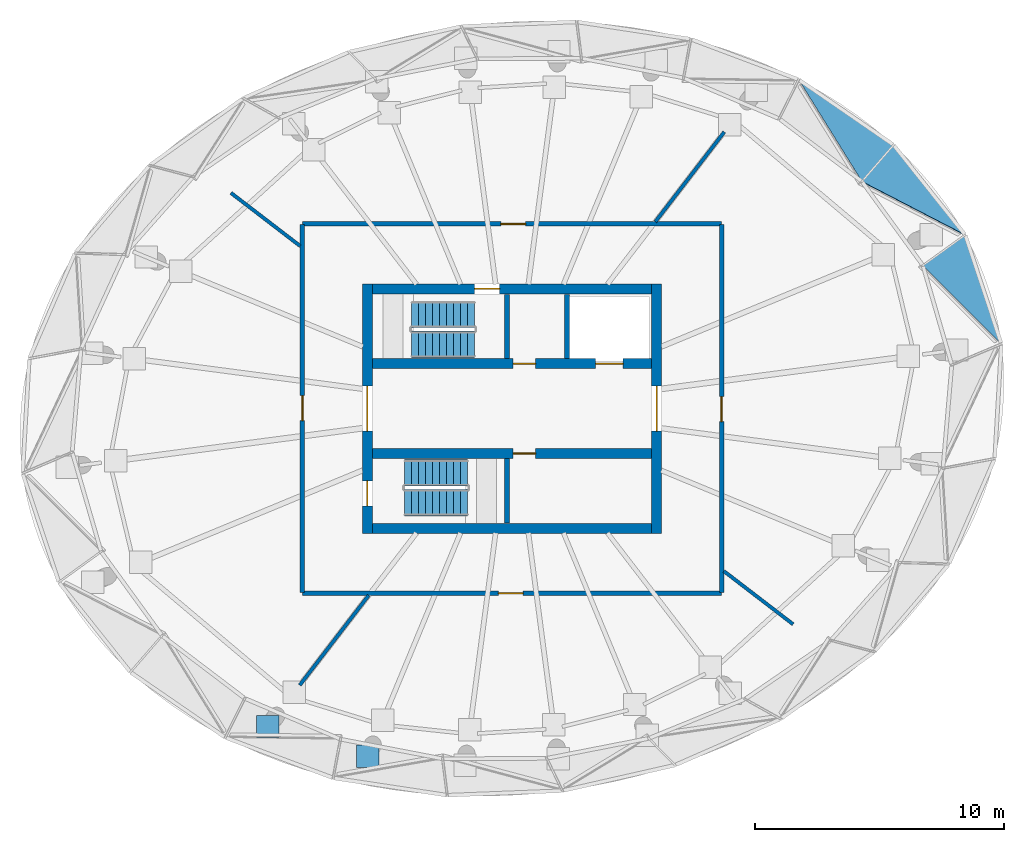
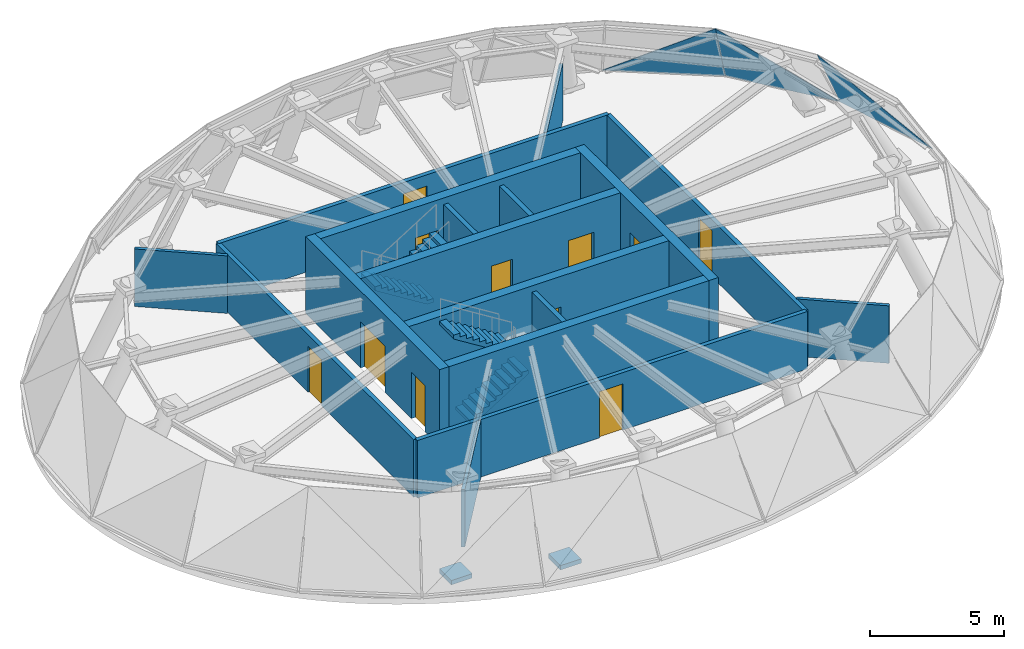
# One storey, part 7 of 9: 17 walls, 11 doors, 4 stair flights, 3 plates, 2 discrete accessories, 11 openings, 5 elements without a shape of their own.
"""IFC4 building model written with IfcOpenShell, lengths in metres."""

from ifc_helpers import new_model, si_unit, direction, frame, frame_2d, origin, origin_2d, place, context, subcontext, project, spatial, line, indexed_curve, rectangle, outline, extrude, source, transform, mapped, material, layer, layer_set, type_object, element, fill, aggregate, save


model = new_model("IFC4")

# Units and contexts
model_context = context("Model", 3, precision=1e-05, world=origin(), true_north=direction((0.0, 1.0)))
body_context = subcontext(model_context, "Body", "Model", "MODEL_VIEW")
ifc_project = project(units=[si_unit("LENGTHUNIT", "METRE"), si_unit("AREAUNIT", "SQUARE_METRE"), si_unit("VOLUMEUNIT", "CUBIC_METRE"), si_unit("PLANEANGLEUNIT", "RADIAN"), si_unit("MASSUNIT", "GRAM", prefix="KILO")], contexts=[model_context])

# Site, building, storey
site_placement = place(None, origin())
site = spatial("IfcSite", under=ifc_project, at=site_placement, CompositionType="ELEMENT")
building_placement = place(site_placement, origin())
building = spatial("IfcBuilding", under=site, at=building_placement, Name="Spindrift Exchange Tower", CompositionType="ELEMENT")
storey_placement = place(building_placement, frame((0.0, 0.0, 273.10009765625)))
storey = spatial("IfcBuildingStorey", under=building, at=storey_placement, Name="L67", CompositionType="ELEMENT", Elevation=273.10009765625)

# Curtain wall, plate
ifc_material_1 = material(Name="Fritted laminated glass with bronze frame", Category="glass")
ifc_layer_1 = layer(ifc_material_1, 0.14990234375)
ifc_layer_set_1 = layer_set([ifc_layer_1], Name="CROWN BRONZE RAKED GLAZED WALL")
curtain_wall_type = type_object("IfcCurtainWallType", Name="CROWN BRONZE RAKED GLAZED WALL", PredefinedType="NOTDEFINED", material=ifc_layer_set_1)
curtain_wall_1_placement = place(storey_placement, origin())
curtain_wall_1 = element("IfcCurtainWall", 1, at=curtain_wall_1_placement, inside=storey, type_object=curtain_wall_type, Name="L67 Crown Bronze Raked Glazed Wall facet 1", PredefinedType="NOTDEFINED")
ifc_material_2 = material(Name="Bronze fritted laminated glass, close frit", Category="glass")
ifc_layer_2 = layer(ifc_material_2, 0.030029296875)
ifc_layer_set_2 = layer_set([ifc_layer_2], Name="CROWN BRONZE RAKED GLAZED WALL PANEL CLOSE FRIT 300")
plate_type_1 = type_object("IfcPlateType", Name="CROWN BRONZE RAKED GLAZED WALL PANEL CLOSE FRIT 300", PredefinedType="CURTAIN_PANEL", material=ifc_layer_set_2)
plate_1_placement = place(storey_placement, frame((71.6171875, 50.591064453125, 0.014892578125), z_axis=(0.823556277735, 0.273429520846, 0.496982247704), x_axis=(-0.315097835712, 0.949059194113, 0.0)))
plate_1 = element("IfcPlate", 2, at=plate_1_placement, type_object=plate_type_1, Name="L67 panel CW-R.1a", PredefinedType="CURTAIN_PANEL", context=body_context, shape_type="SweptSolid", body=[
    extrude(outline(indexed_curve([(0.0, 0.0), (4.603515625, 0.0), (3.9765625, 4.0166015625)], segments=[line(1, 2, 3, 1)], self_intersect=False)), origin(), (0.0, 0.0, -1.0), 0.030029296875),
])
aggregate(curtain_wall_1, [plate_1])

curtain_wall_2_placement = place(storey_placement, origin())
curtain_wall_2 = element("IfcCurtainWall", 3, at=curtain_wall_2_placement, inside=storey, type_object=curtain_wall_type, Name="L67 Crown Bronze Raked Glazed Wall facet 3", PredefinedType="NOTDEFINED")
ifc_layer_3 = layer(ifc_material_2, 0.030029296875)
ifc_layer_set_3 = layer_set([ifc_layer_3], Name="CROWN BRONZE RAKED GLAZED WALL PANEL CLOSE FRIT 540")
plate_type_2 = type_object("IfcPlateType", Name="CROWN BRONZE RAKED GLAZED WALL PANEL CLOSE FRIT 540", PredefinedType="CURTAIN_PANEL", material=ifc_layer_set_3)
plate_2_placement = place(storey_placement, frame((70.166748046875, 54.959716796875, 0.01416015625), z_axis=(0.686631866828, 0.546554132524, 0.479390508539), x_axis=(-0.622781534918, 0.782395782047, 0.0)))
plate_2 = element("IfcPlate", 4, at=plate_2_placement, type_object=plate_type_2, Name="L67 panel CW-R.2a", PredefinedType="CURTAIN_PANEL", context=body_context, shape_type="SweptSolid", body=[
    extrude(outline(indexed_curve([(0.0, 0.0), (4.6103515625, 0.0), (4.2548828125, 3.9716796875)], segments=[line(1, 2, 3, 1)], self_intersect=False)), origin(), (0.0, 0.0, -1.0), 0.030029296875),
])
aggregate(curtain_wall_2, [plate_2])

curtain_wall_3_placement = place(storey_placement, origin())
curtain_wall_3 = element("IfcCurtainWall", 5, at=curtain_wall_3_placement, inside=storey, type_object=curtain_wall_type, Name="L67 Crown Bronze Raked Glazed Wall facet 5", PredefinedType="NOTDEFINED")
plate_3_placement = place(storey_placement, frame((63.493408203125, 61.184814453125, 0.014404296875), z_axis=(0.496444234354, 0.720964426131, 0.483480525389), x_axis=(0.823625077177, -0.567134668527, 0.0)))
plate_3 = element("IfcPlate", 6, at=plate_3_placement, type_object=plate_type_2, Name="L67 panel CW-R.3a", PredefinedType="CURTAIN_PANEL", context=body_context, shape_type="SweptSolid", body=[
    extrude(outline(indexed_curve([(0.0, 0.0), (4.6162109375, 0.0), (4.40234375, -3.9814453125)], segments=[line(1, 2, 3, 1)], self_intersect=False)), origin(), (0.0, 0.0, -1.0), 0.030029296875),
])
aggregate(curtain_wall_3, [plate_3])

# Wall, opening, door
ifc_material_3 = material(Name="Concrete 40 MPa", Category="concrete")
ifc_layer_4 = layer(ifc_material_3, 0.39990234375)
ifc_layer_set_4 = layer_set([ifc_layer_4], Name="RC Core Wall 400 Concrete 40 MPa")
wall_type_1 = type_object("IfcWallType", Name="RC Core Wall 400 Concrete 40 MPa", PredefinedType="SHEAR", material=ifc_layer_set_4)
wall_1_placement = place(storey_placement, frame((57.800048828125, 43.0, 0.0), z_axis=(0.0, 0.0, 1.0), x_axis=(0.0, 1.0, 0.0)))
wall_1 = element("IfcWall", 7, at=wall_1_placement, inside=storey, type_object=wall_type_1, Name="Core wall E L67", PredefinedType="SHEAR", context=body_context, shape_type="SweptSolid", body=[
    extrude(rectangle(XDim=10.0, YDim=0.39990234375, at=frame_2d((5.0, 0.0))), origin(), (0.0, 0.0, 1.0), 3.5),
])
opening_1_placement = place(wall_1_placement, frame((4.10009765625, 0.0, 0.0)))
opening_1 = element("IfcOpeningElement", 8, at=opening_1_placement, cuts=wall_1, Name="Opening L67-D2", PredefinedType="OPENING", context=body_context, shape_type="SweptSolid", body=[
    extrude(rectangle(XDim=1.800048828125, YDim=2.10009765625, at=frame_2d((0.89990234375, 1.050048828125))), frame((0.0, 0.2099609375, 0.0), z_axis=(0.0, -1.0, 0.0), x_axis=(1.0, 0.0, 0.0)), (0.0, 0.0, 1.0), 0.419921875),
])
ifc_material_4 = material(Name="Timber-core fire door", Category="wood")
door_type_1 = type_object("IfcDoorType", Name="DR-LOBBY-1800", OperationType="NOTDEFINED", PredefinedType="DOOR", material=ifc_material_4)
shared_shape_1 = source(origin(), body_context, "Body", "SweptSolid", [
    extrude(rectangle(XDim=1.800048828125, YDim=2.10009765625, at=frame_2d((0.89990234375, 1.050048828125))), frame((0.0, 0.02490234375, 0.0), z_axis=(0.0, -1.0, 0.0), x_axis=(1.0, 0.0, 0.0)), (0.0, 0.0, 1.0), 0.050048828125),
])
door_1_placement = place(opening_1_placement, origin())
door_1 = element("IfcDoor", 9, at=door_1_placement, inside=storey, type_object=door_type_1, Name="L67 Lobby door 2", OperationType="SINGLE_SWING_RIGHT", OverallHeight=2.10009765625, OverallWidth=1.800048828125, PredefinedType="DOOR", context=body_context, shape_type="MappedRepresentation", body=[
    mapped(shared_shape_1, transform((0.0, 0.0, 0.0), scale=1.0)),
])
fill(opening_1, door_1)

# Wall, openings, doors
wall_2_placement = place(storey_placement, frame((46.199951171875, 53.0, 0.0), z_axis=(0.0, 0.0, 1.0), x_axis=(0.0, -1.0, 0.0)))
wall_2 = element("IfcWall", 10, at=wall_2_placement, inside=storey, type_object=wall_type_1, Name="Core wall W L67", PredefinedType="SHEAR", context=body_context, shape_type="SweptSolid", body=[
    extrude(rectangle(XDim=10.0, YDim=0.39990234375, at=frame_2d((5.0, 0.0))), origin(), (0.0, 0.0, 1.0), 3.5),
])
opening_2_placement = place(wall_2_placement, frame((4.10009765625, 0.0, 0.0)))
opening_2 = element("IfcOpeningElement", 11, at=opening_2_placement, cuts=wall_2, Name="Opening L67-D1", PredefinedType="OPENING", context=body_context, shape_type="SweptSolid", body=[
    extrude(rectangle(XDim=1.800048828125, YDim=2.10009765625, at=frame_2d((0.89990234375, 1.050048828125))), frame((0.0, 0.2099609375, 0.0), z_axis=(0.0, -1.0, 0.0), x_axis=(1.0, 0.0, 0.0)), (0.0, 0.0, 1.0), 0.419921875),
])
opening_3_placement = place(wall_2_placement, frame((7.89990234375, 0.0, 0.0)))
opening_3 = element("IfcOpeningElement", 12, at=opening_3_placement, cuts=wall_2, Name="Opening L67-D4", PredefinedType="OPENING", context=body_context, shape_type="SweptSolid", body=[
    extrude(rectangle(XDim=1.0, YDim=2.10009765625, at=frame_2d((0.5, 1.050048828125))), frame((0.0, 0.2099609375, 0.0), z_axis=(0.0, -1.0, 0.0), x_axis=(1.0, 0.0, 0.0)), (0.0, 0.0, 1.0), 0.419921875),
])
door_2_placement = place(opening_2_placement, origin())
door_2 = element("IfcDoor", 13, at=door_2_placement, inside=storey, type_object=door_type_1, Name="L67 Lobby door 1", OperationType="SINGLE_SWING_LEFT", OverallHeight=2.10009765625, OverallWidth=1.800048828125, PredefinedType="DOOR", context=body_context, shape_type="MappedRepresentation", body=[
    mapped(shared_shape_1, transform((0.0, 0.0, 0.0), scale=1.0)),
])
fill(opening_2, door_2)
ifc_material_5 = material(Name="Steel fire door", Category="steel")
door_type_2 = type_object("IfcDoorType", Name="DR-STAIR-1000", OperationType="NOTDEFINED", PredefinedType="DOOR", material=ifc_material_5)
shared_shape_2 = source(origin(), body_context, "Body", "SweptSolid", [
    extrude(rectangle(XDim=1.0, YDim=2.10009765625, at=frame_2d((0.5, 1.050048828125))), frame((0.0, 0.02490234375, 0.0), z_axis=(0.0, -1.0, 0.0), x_axis=(1.0, 0.0, 0.0)), (0.0, 0.0, 1.0), 0.050048828125),
])
door_3_placement = place(opening_3_placement, origin())
door_3 = element("IfcDoor", 14, at=door_3_placement, inside=storey, type_object=door_type_2, Name="L67 Stair door 4", OperationType="SINGLE_SWING_RIGHT", OverallHeight=2.10009765625, OverallWidth=1.0, PredefinedType="DOOR", context=body_context, shape_type="MappedRepresentation", body=[
    mapped(shared_shape_2, transform((0.0, 0.0, 0.0), scale=1.0)),
])
fill(opening_3, door_3)

# Wall
wall_3_placement = place(storey_placement, frame((46.39990234375, 43.199951171875, 0.0), z_axis=(0.0, 0.0, 1.0), x_axis=(1.0, 0.0, 0.0)))
element("IfcWall", 15, at=wall_3_placement, inside=storey, type_object=wall_type_1, Name="Core wall S L67", PredefinedType="SHEAR", context=body_context, shape_type="SweptSolid", body=[
    extrude(rectangle(XDim=11.2001953125, YDim=0.39990234375, at=frame_2d((5.60009765625, 0.0))), origin(), (0.0, 0.0, 1.0), 3.5),
])

# Wall, opening, door
wall_4_placement = place(storey_placement, frame((57.60009765625, 52.800048828125, 0.0), z_axis=(0.0, 0.0, 1.0), x_axis=(-1.0, 0.0, 0.0)))
wall_4 = element("IfcWall", 16, at=wall_4_placement, inside=storey, type_object=wall_type_1, Name="Core wall N L67", PredefinedType="SHEAR", context=body_context, shape_type="SweptSolid", body=[
    extrude(rectangle(XDim=11.2001953125, YDim=0.39990234375, at=frame_2d((5.60009765625, 0.0))), origin(), (0.0, 0.0, 1.0), 3.5),
])
opening_4_placement = place(wall_4_placement, frame((6.10009765625, 0.0, 0.0)))
opening_4 = element("IfcOpeningElement", 17, at=opening_4_placement, cuts=wall_4, Name="Opening L67-D3", PredefinedType="OPENING", context=body_context, shape_type="SweptSolid", body=[
    extrude(rectangle(XDim=1.0, YDim=2.10009765625, at=frame_2d((0.5, 1.050048828125))), frame((0.0, 0.2099609375, 0.0), z_axis=(0.0, -1.0, 0.0), x_axis=(1.0, 0.0, 0.0)), (0.0, 0.0, 1.0), 0.419921875),
])
door_4_placement = place(opening_4_placement, origin())
door_4 = element("IfcDoor", 18, at=door_4_placement, inside=storey, type_object=door_type_2, Name="L67 Stair door 3", OperationType="SINGLE_SWING_LEFT", OverallHeight=2.10009765625, OverallWidth=1.0, PredefinedType="DOOR", context=body_context, shape_type="MappedRepresentation", body=[
    mapped(shared_shape_2, transform((0.0, 0.0, 0.0), scale=1.0)),
])
fill(opening_4, door_4)

# Wall, openings, doors
ifc_layer_5 = layer(ifc_material_3, 0.39990234375)
ifc_layer_set_5 = layer_set([ifc_layer_5], Name="RC Spine Wall 400 Concrete 40 MPa")
wall_type_2 = type_object("IfcWallType", Name="RC Spine Wall 400 Concrete 40 MPa", PredefinedType="SHEAR", material=ifc_layer_set_5)
wall_5_placement = place(storey_placement, frame((46.39990234375, 49.800048828125, 0.0), z_axis=(0.0, 0.0, 1.0), x_axis=(1.0, 0.0, 0.0)))
wall_5 = element("IfcWall", 19, at=wall_5_placement, inside=storey, type_object=wall_type_2, Name="Core spine wall N L67", PredefinedType="SHEAR", context=body_context, shape_type="SweptSolid", body=[
    extrude(rectangle(XDim=11.2001953125, YDim=0.39990234375, at=frame_2d((5.60009765625, 0.0))), origin(), (0.0, 0.0, 1.0), 3.5),
])
opening_5_placement = place(wall_5_placement, frame((8.949951171875, 0.0, 0.0)))
opening_5 = element("IfcOpeningElement", 20, at=opening_5_placement, cuts=wall_5, Name="Opening L67-D5", PredefinedType="OPENING", context=body_context, shape_type="SweptSolid", body=[
    extrude(rectangle(XDim=1.10009765625, YDim=2.10009765625, at=frame_2d((0.550048828125, 1.050048828125))), frame((0.0, 0.2099609375, 0.0), z_axis=(0.0, -1.0, 0.0), x_axis=(1.0, 0.0, 0.0)), (0.0, 0.0, 1.0), 0.419921875),
])
opening_6_placement = place(wall_5_placement, frame((5.64990234375, 0.0, 0.0)))
opening_6 = element("IfcOpeningElement", 21, at=opening_6_placement, cuts=wall_5, Name="Opening L67-D10", PredefinedType="OPENING", context=body_context, shape_type="SweptSolid", body=[
    extrude(rectangle(XDim=0.89990234375, YDim=2.10009765625, at=frame_2d((0.449951171875, 1.050048828125))), frame((0.0, 0.2099609375, 0.0), z_axis=(0.0, -1.0, 0.0), x_axis=(1.0, 0.0, 0.0)), (0.0, 0.0, 1.0), 0.419921875),
])
ifc_material_6 = material(Name="Stainless steel landing door", Category="steel")
door_type_3 = type_object("IfcDoorType", Name="DR-LANDING-1100-SL", OperationType="DOUBLE_DOOR_SLIDING", PredefinedType="USERDEFINED", material=ifc_material_6)
shared_shape_3 = source(origin(), body_context, "Body", "SweptSolid", [
    extrude(rectangle(XDim=1.10009765625, YDim=2.10009765625, at=frame_2d((0.550048828125, 1.050048828125))), frame((0.0, 0.02490234375, 0.0), z_axis=(0.0, -1.0, 0.0), x_axis=(1.0, 0.0, 0.0)), (0.0, 0.0, 1.0), 0.050048828125),
])
door_5_placement = place(opening_5_placement, origin())
door_5 = element("IfcDoor", 22, at=door_5_placement, inside=storey, type_object=door_type_3, Name="L67 Lift landing door 5", ObjectType="LANDING DOOR", OperationType="DOUBLE_DOOR_SLIDING", OverallHeight=2.10009765625, OverallWidth=1.10009765625, PredefinedType="USERDEFINED", context=body_context, shape_type="MappedRepresentation", body=[
    mapped(shared_shape_3, transform((0.0, 0.0, 0.0), scale=1.0)),
])
fill(opening_5, door_5)
ifc_material_7 = material(Name="Steel access door", Category="steel")
door_type_4 = type_object("IfcDoorType", Name="DR-RISER-900", OperationType="NOTDEFINED", PredefinedType="DOOR", material=ifc_material_7)
shared_shape_4 = source(origin(), body_context, "Body", "SweptSolid", [
    extrude(rectangle(XDim=0.89990234375, YDim=2.10009765625, at=frame_2d((0.449951171875, 1.050048828125))), frame((0.0, 0.02490234375, 0.0), z_axis=(0.0, -1.0, 0.0), x_axis=(1.0, 0.0, 0.0)), (0.0, 0.0, 1.0), 0.050048828125),
])
door_6_placement = place(opening_6_placement, origin())
door_6 = element("IfcDoor", 23, at=door_6_placement, inside=storey, type_object=door_type_4, Name="L67 Riser door 10", OperationType="SINGLE_SWING_LEFT", OverallHeight=2.10009765625, OverallWidth=0.89990234375, PredefinedType="DOOR", context=body_context, shape_type="MappedRepresentation", body=[
    mapped(shared_shape_4, transform((0.0, 0.0, 0.0), scale=1.0)),
])
fill(opening_6, door_6)

# Wall, opening, door
wall_6_placement = place(storey_placement, frame((46.39990234375, 46.199951171875, 0.0), z_axis=(0.0, 0.0, 1.0), x_axis=(1.0, 0.0, 0.0)))
wall_6 = element("IfcWall", 24, at=wall_6_placement, inside=storey, type_object=wall_type_2, Name="Core spine wall S L67", PredefinedType="SHEAR", context=body_context, shape_type="SweptSolid", body=[
    extrude(rectangle(XDim=11.2001953125, YDim=0.39990234375, at=frame_2d((5.60009765625, 0.0))), origin(), (0.0, 0.0, 1.0), 3.5),
])
opening_7_placement = place(wall_6_placement, frame((5.64990234375, 0.0, 0.0)))
opening_7 = element("IfcOpeningElement", 25, at=opening_7_placement, cuts=wall_6, Name="Opening L67-D11", PredefinedType="OPENING", context=body_context, shape_type="SweptSolid", body=[
    extrude(rectangle(XDim=0.89990234375, YDim=2.10009765625, at=frame_2d((0.449951171875, 1.050048828125))), frame((0.0, 0.2099609375, 0.0), z_axis=(0.0, -1.0, 0.0), x_axis=(1.0, 0.0, 0.0)), (0.0, 0.0, 1.0), 0.419921875),
])
door_7_placement = place(opening_7_placement, origin())
door_7 = element("IfcDoor", 26, at=door_7_placement, inside=storey, type_object=door_type_4, Name="L67 Riser door 11", OperationType="SINGLE_SWING_RIGHT", OverallHeight=2.10009765625, OverallWidth=0.89990234375, PredefinedType="DOOR", context=body_context, shape_type="MappedRepresentation", body=[
    mapped(shared_shape_4, transform((0.0, 0.0, 0.0), scale=1.0)),
])
fill(opening_7, door_7)

# Walls
ifc_material_8 = material(Name="Fire-rated plasterboard partition", Category="gypsum")
ifc_layer_6 = layer(ifc_material_8, 0.139892578125)
ifc_layer_set_6 = layer_set([ifc_layer_6], Name="W-PLANT-140")
wall_type_3 = type_object("IfcWallType", Name="W-PLANT-140", PredefinedType="PARTITIONING", material=ifc_layer_set_6)
for number, where, z_axis, x_axis, name in (
    (27, (43.510009765625, 54.5146484375, 0.0), (0.0, 0.0, 1.0), (-0.793378297772, 0.608728902407, 0.0), "L67 Partition wall 8"),
    (28, (60.489990234375, 41.4853515625, 0.0), (0.0, 0.0, 1.0), (0.793378297772, -0.608728902407, 0.0), "L67 Partition wall 9"),
):
    element("IfcWall", number, at=place(storey_placement, frame(where, z_axis=z_axis, x_axis=x_axis)), inside=storey, type_object=wall_type_3, Name=name, PredefinedType="PARTITIONING", context=body_context, shape_type="SweptSolid", body=[
        extrude(rectangle(XDim=3.49853515625, YDim=0.139892578125, at=frame_2d((1.749267578125, 0.0))), origin(), (0.0, 0.0, 1.0), 2.619873046875),
    ])
for number, where, z_axis, x_axis, name in (
    (29, (57.747314453125, 55.489990234375, 0.0), (0.0, 0.0, 1.0), (0.608742343677, 0.793367984617, 0.0), "L67 Partition wall 10"),
    (30, (46.252685546875, 40.510009765625, 0.0), (0.0, 0.0, 1.0), (-0.608742343677, -0.793367984617, 0.0), "L67 Partition wall 11"),
):
    element("IfcWall", number, at=place(storey_placement, frame(where, z_axis=z_axis, x_axis=x_axis)), inside=storey, type_object=wall_type_3, Name=name, PredefinedType="PARTITIONING", context=body_context, shape_type="SweptSolid", body=[
        extrude(rectangle(XDim=4.534423828125, YDim=0.139892578125, at=frame_2d((2.26708984375, 0.0))), origin(), (0.0, 0.0, 1.0), 2.619873046875),
    ])

# Wall, opening, door
ifc_layer_7 = layer(ifc_material_8, 0.179931640625)
ifc_layer_set_7 = layer_set([ifc_layer_7], Name="W-PLANT-180")
wall_type_4 = type_object("IfcWallType", Name="W-PLANT-180", PredefinedType="PARTITIONING", material=ifc_layer_set_7)
wall_7_placement = place(storey_placement, frame((43.60009765625, 55.39990234375, 0.0), z_axis=(0.0, 0.0, 1.0), x_axis=(1.0, 0.0, 0.0)))
wall_7 = element("IfcWall", 31, at=wall_7_placement, inside=storey, type_object=wall_type_4, Name="L67 Partition wall 4", PredefinedType="PARTITIONING", context=body_context, shape_type="SweptSolid", body=[
    extrude(rectangle(XDim=16.7998046875, YDim=0.179931640625, at=frame_2d((8.39990234375, 0.0))), origin(), (0.0, 0.0, 1.0), 2.619873046875),
])
opening_8_placement = place(wall_7_placement, frame((7.949951171875, 0.0, 0.0)))
opening_8 = element("IfcOpeningElement", 32, at=opening_8_placement, cuts=wall_7, Name="Opening L67-D7", PredefinedType="OPENING", context=body_context, shape_type="SweptSolid", body=[
    extrude(rectangle(XDim=1.0, YDim=2.10009765625, at=frame_2d((0.5, 1.050048828125))), frame((0.0, 0.099853515625, 0.0), z_axis=(0.0, -1.0, 0.0), x_axis=(1.0, 0.0, 0.0)), (0.0, 0.0, 1.0), 0.199951171875),
])
door_type_5 = type_object("IfcDoorType", Name="DR-ROOM-1000", OperationType="NOTDEFINED", PredefinedType="DOOR", material=ifc_material_4)
shared_shape_5 = source(origin(), body_context, "Body", "SweptSolid", [
    extrude(rectangle(XDim=1.0, YDim=2.10009765625, at=frame_2d((0.5, 1.050048828125))), frame((0.0, 0.02490234375, 0.0), z_axis=(0.0, -1.0, 0.0), x_axis=(1.0, 0.0, 0.0)), (0.0, 0.0, 1.0), 0.050048828125),
])
door_8_placement = place(opening_8_placement, origin())
door_8 = element("IfcDoor", 33, at=door_8_placement, inside=storey, type_object=door_type_5, Name="L67 Door 7", OperationType="SINGLE_SWING_RIGHT", OverallHeight=2.10009765625, OverallWidth=1.0, PredefinedType="DOOR", context=body_context, shape_type="MappedRepresentation", body=[
    mapped(shared_shape_5, transform((0.0, 0.0, 0.0), scale=1.0)),
])
fill(opening_8, door_8)

wall_8_placement = place(storey_placement, frame((60.39990234375, 40.60009765625, 0.0), z_axis=(0.0, 0.0, 1.0), x_axis=(-1.0, 0.0, 0.0)))
wall_8 = element("IfcWall", 34, at=wall_8_placement, inside=storey, type_object=wall_type_4, Name="L67 Partition wall 5", PredefinedType="PARTITIONING", context=body_context, shape_type="SweptSolid", body=[
    extrude(rectangle(XDim=16.7998046875, YDim=0.179931640625, at=frame_2d((8.39990234375, 0.0))), origin(), (0.0, 0.0, 1.0), 2.619873046875),
])
opening_9_placement = place(wall_8_placement, frame((7.949951171875, 0.0, 0.0)))
opening_9 = element("IfcOpeningElement", 35, at=opening_9_placement, cuts=wall_8, Name="Opening L67-D9", PredefinedType="OPENING", context=body_context, shape_type="SweptSolid", body=[
    extrude(rectangle(XDim=1.0, YDim=2.10009765625, at=frame_2d((0.5, 1.050048828125))), frame((0.0, 0.099853515625, 0.0), z_axis=(0.0, -1.0, 0.0), x_axis=(1.0, 0.0, 0.0)), (0.0, 0.0, 1.0), 0.199951171875),
])
door_9_placement = place(opening_9_placement, origin())
door_9 = element("IfcDoor", 36, at=door_9_placement, inside=storey, type_object=door_type_5, Name="L67 Door 9", OperationType="SINGLE_SWING_RIGHT", OverallHeight=2.10009765625, OverallWidth=1.0, PredefinedType="DOOR", context=body_context, shape_type="MappedRepresentation", body=[
    mapped(shared_shape_5, transform((0.0, 0.0, 0.0), scale=1.0)),
])
fill(opening_9, door_9)

ifc_layer_8 = layer(ifc_material_8, 0.179931640625)
ifc_layer_set_8 = layer_set([ifc_layer_8], Name="W-PLANT-180-SOFFIT")
wall_type_5 = type_object("IfcWallType", Name="W-PLANT-180-SOFFIT", PredefinedType="PARTITIONING", material=ifc_layer_set_8)
wall_9_placement = place(storey_placement, frame((60.39990234375, 55.3701171875, 0.0), z_axis=(0.0, 0.0, 1.0), x_axis=(0.0, -1.0, 0.0)))
wall_9 = element("IfcWall", 37, at=wall_9_placement, inside=storey, type_object=wall_type_5, Name="L67 Partition wall 6", PredefinedType="PARTITIONING", context=body_context, shape_type="SweptSolid", body=[
    extrude(rectangle(XDim=14.740234375, YDim=0.179931640625, at=frame_2d((7.3701171875, 0.0))), origin(), (0.0, 0.0, 1.0), 2.61279296875),
])
opening_10_placement = place(wall_9_placement, frame((6.889892578125, 0.0, 0.0)))
opening_10 = element("IfcOpeningElement", 38, at=opening_10_placement, cuts=wall_9, Name="Opening L67-D6", PredefinedType="OPENING", context=body_context, shape_type="SweptSolid", body=[
    extrude(rectangle(XDim=1.0, YDim=2.10009765625, at=frame_2d((0.5, 1.050048828125))), frame((0.0, 0.099853515625, 0.0), z_axis=(0.0, -1.0, 0.0), x_axis=(1.0, 0.0, 0.0)), (0.0, 0.0, 1.0), 0.199951171875),
])
door_10_placement = place(opening_10_placement, origin())
door_10 = element("IfcDoor", 39, at=door_10_placement, inside=storey, type_object=door_type_5, Name="L67 Door 6", OperationType="SINGLE_SWING_LEFT", OverallHeight=2.10009765625, OverallWidth=1.0, PredefinedType="DOOR", context=body_context, shape_type="MappedRepresentation", body=[
    mapped(shared_shape_5, transform((0.0, 0.0, 0.0), scale=1.0)),
])
fill(opening_10, door_10)

wall_10_placement = place(storey_placement, frame((43.60009765625, 40.6298828125, 0.0), z_axis=(0.0, 0.0, 1.0), x_axis=(0.0, 1.0, 0.0)))
wall_10 = element("IfcWall", 40, at=wall_10_placement, inside=storey, type_object=wall_type_5, Name="L67 Partition wall 7", PredefinedType="PARTITIONING", context=body_context, shape_type="SweptSolid", body=[
    extrude(rectangle(XDim=14.740234375, YDim=0.179931640625, at=frame_2d((7.3701171875, 0.0))), origin(), (0.0, 0.0, 1.0), 2.61279296875),
])
opening_11_placement = place(wall_10_placement, frame((6.889892578125, 0.0, 0.0)))
opening_11 = element("IfcOpeningElement", 41, at=opening_11_placement, cuts=wall_10, Name="Opening L67-D8", PredefinedType="OPENING", context=body_context, shape_type="SweptSolid", body=[
    extrude(rectangle(XDim=1.0, YDim=2.10009765625, at=frame_2d((0.5, 1.050048828125))), frame((0.0, 0.099853515625, 0.0), z_axis=(0.0, -1.0, 0.0), x_axis=(1.0, 0.0, 0.0)), (0.0, 0.0, 1.0), 0.199951171875),
])
door_11_placement = place(opening_11_placement, origin())
door_11 = element("IfcDoor", 42, at=door_11_placement, inside=storey, type_object=door_type_5, Name="L67 Door 8", OperationType="SINGLE_SWING_LEFT", OverallHeight=2.10009765625, OverallWidth=1.0, PredefinedType="DOOR", context=body_context, shape_type="MappedRepresentation", body=[
    mapped(shared_shape_5, transform((0.0, 0.0, 0.0), scale=1.0)),
])
fill(opening_11, door_11)

# Walls
ifc_layer_9 = layer(ifc_material_3, 0.199951171875)
ifc_layer_set_9 = layer_set([ifc_layer_9], Name="W-SHAFT-200")
wall_type_6 = type_object("IfcWallType", Name="W-SHAFT-200", PredefinedType="SOLIDWALL", material=ifc_layer_set_9)
wall_11_placement = place(storey_placement, frame((54.199951171875, 52.580078125, 0.0), z_axis=(0.0, 0.0, 1.0), x_axis=(0.0, -1.0, 0.0)))
element("IfcWall", 43, at=wall_11_placement, inside=storey, type_object=wall_type_6, Name="L67 Shaft wall 3", PredefinedType="SOLIDWALL", context=body_context, shape_type="SweptSolid", body=[
    extrude(rectangle(XDim=2.570068359375, YDim=0.199951171875, at=frame_2d((1.28515625, 0.0))), origin(), (0.0, 0.0, 1.0), 3.219970703125),
])
ifc_layer_10 = layer(ifc_material_3, 0.199951171875)
ifc_layer_set_10 = layer_set([ifc_layer_10], Name="W-SHAFT-200-LB")
wall_type_7 = type_object("IfcWallType", Name="W-SHAFT-200-LB", PredefinedType="SOLIDWALL", material=ifc_layer_set_10)
for number, where, z_axis, x_axis, name in (
    (44, (51.800048828125, 43.419921875, 0.0), (0.0, 0.0, 1.0), (0.0, 1.0, 0.0), "L67 Shaft wall 1"),
    (45, (51.800048828125, 50.010009765625, 0.0), (0.0, 0.0, 1.0), (0.0, 1.0, 0.0), "L67 Shaft wall 2"),
):
    element("IfcWall", number, at=place(storey_placement, frame(where, z_axis=z_axis, x_axis=x_axis)), inside=storey, type_object=wall_type_7, Name=name, PredefinedType="SOLIDWALL", context=body_context, shape_type="SweptSolid", body=[
        extrude(rectangle(XDim=2.570068359375, YDim=0.199951171875, at=frame_2d((1.28515625, 0.0))), origin(), (0.0, 0.0, 1.0), 3.219970703125),
    ])

# Stair, stair flights
ifc_material_9 = material(Name="Concrete 50 MPa", Category="concrete")
stair_type = type_object("IfcStairType", Name="ST-1050-R175", PredefinedType="HALF_TURN_STAIR", material=ifc_material_9)
stair_1_placement = place(storey_placement, origin())
stair_1 = element("IfcStair", 46, at=stair_1_placement, inside=storey, type_object=stair_type, Name="L67 Exit stair ST3", PredefinedType="HALF_TURN_STAIR")
stair_flight_type = type_object("IfcStairFlightType", Name="STF-1050-R175", PredefinedType="STRAIGHT", material=ifc_material_9)
stair_flight_1_placement = place(storey_placement, frame((50.5, 51.77490234375, 0.0), z_axis=(0.0, 0.0, 1.0), x_axis=(-1.0, 0.0, 0.0)))
stair_flight_1 = element("IfcStairFlight", 47, at=stair_flight_1_placement, type_object=stair_flight_type, Name="ST3 flight 1", NumberOfRisers=10, NumberOfTreads=9, PredefinedType="STRAIGHT", RiserHeight=0.175, TreadLength=0.28, context=body_context, shape_type="SweptSolid", body=[
    extrude(outline(indexed_curve([(0.0, 0.0), (0.0, 0.1748046875), (0.2802734375, 0.1748046875), (0.2802734375, 0.349609375), (0.5595703125, 0.349609375), (0.5595703125, 0.525390625), (0.83984375, 0.525390625), (0.83984375, 0.7001953125), (1.1201171875, 0.7001953125), (1.1201171875, 0.875), (1.400390625, 0.875), (1.400390625, 1.0498046875), (1.6796875, 1.0498046875), (1.6796875, 1.224609375), (1.9599609375, 1.224609375), (1.9599609375, 1.400390625), (2.240234375, 1.400390625), (2.240234375, 1.5751953125), (2.51953125, 1.5751953125), (2.51953125, 1.75), (2.51953125, 1.3984375), (0.283203125, 0.0)], segments=[line(1, 2, 3, 4, 5, 6, 7, 8, 9, 10, 11, 12, 13, 14, 15, 16, 17, 18, 19, 20, 21, 22, 1)], self_intersect=False)), frame((0.0, 0.52490234375, 0.0), z_axis=(0.0, -1.0, 0.0), x_axis=(1.0, 0.0, 0.0)), (0.0, 0.0, 1.0), 1.050048828125),
])
stair_flight_2_placement = place(storey_placement, frame((47.97998046875, 50.574951171875, 1.75), z_axis=(0.0, 0.0, 1.0), x_axis=(1.0, 0.0, 0.0)))
stair_flight_2 = element("IfcStairFlight", 48, at=stair_flight_2_placement, type_object=stair_flight_type, Name="ST3 flight 2", NumberOfRisers=10, NumberOfTreads=9, PredefinedType="STRAIGHT", RiserHeight=0.175, TreadLength=0.28, context=body_context, shape_type="SweptSolid", body=[
    extrude(outline(indexed_curve([(0.0, 0.0), (0.0, 0.1748046875), (0.2802734375, 0.1748046875), (0.2802734375, 0.349609375), (0.5595703125, 0.349609375), (0.5595703125, 0.525390625), (0.83984375, 0.525390625), (0.83984375, 0.7001953125), (1.1201171875, 0.7001953125), (1.1201171875, 0.875), (1.400390625, 0.875), (1.400390625, 1.0498046875), (1.6796875, 1.0498046875), (1.6796875, 1.224609375), (1.9599609375, 1.224609375), (1.9599609375, 1.400390625), (2.240234375, 1.400390625), (2.240234375, 1.5751953125), (2.51953125, 1.5751953125), (2.51953125, 1.75), (2.51953125, 1.3984375), (0.283203125, 0.0)], segments=[line(1, 2, 3, 4, 5, 6, 7, 8, 9, 10, 11, 12, 13, 14, 15, 16, 17, 18, 19, 20, 21, 22, 1)], self_intersect=False)), frame((0.0, 0.52490234375, 0.0), z_axis=(0.0, -1.0, 0.0), x_axis=(1.0, 0.0, 0.0)), (0.0, 0.0, 1.0), 1.050048828125),
])
aggregate(stair_1, [stair_flight_1, stair_flight_2])

stair_2_placement = place(storey_placement, origin())
stair_2 = element("IfcStair", 49, at=stair_2_placement, inside=storey, type_object=stair_type, Name="L67 Exit stair ST4", PredefinedType="HALF_TURN_STAIR")
stair_flight_3_placement = place(storey_placement, frame((47.699951171875, 44.22509765625, 0.0), z_axis=(0.0, 0.0, 1.0), x_axis=(1.0, 0.0, 0.0)))
stair_flight_3 = element("IfcStairFlight", 50, at=stair_flight_3_placement, type_object=stair_flight_type, Name="ST4 flight 1", NumberOfRisers=10, NumberOfTreads=9, PredefinedType="STRAIGHT", RiserHeight=0.175, TreadLength=0.28, context=body_context, shape_type="SweptSolid", body=[
    extrude(outline(indexed_curve([(0.0, 0.0), (0.0, 0.1748046875), (0.2802734375, 0.1748046875), (0.2802734375, 0.349609375), (0.5595703125, 0.349609375), (0.5595703125, 0.525390625), (0.83984375, 0.525390625), (0.83984375, 0.7001953125), (1.1201171875, 0.7001953125), (1.1201171875, 0.875), (1.400390625, 0.875), (1.400390625, 1.0498046875), (1.6796875, 1.0498046875), (1.6796875, 1.224609375), (1.9599609375, 1.224609375), (1.9599609375, 1.400390625), (2.240234375, 1.400390625), (2.240234375, 1.5751953125), (2.51953125, 1.5751953125), (2.51953125, 1.75), (2.51953125, 1.3984375), (0.283203125, 0.0)], segments=[line(1, 2, 3, 4, 5, 6, 7, 8, 9, 10, 11, 12, 13, 14, 15, 16, 17, 18, 19, 20, 21, 22, 1)], self_intersect=False)), frame((0.0, 0.52490234375, 0.0), z_axis=(0.0, -1.0, 0.0), x_axis=(1.0, 0.0, 0.0)), (0.0, 0.0, 1.0), 1.050048828125),
])
stair_flight_4_placement = place(storey_placement, frame((50.219970703125, 45.425048828125, 1.75), z_axis=(0.0, 0.0, 1.0), x_axis=(-1.0, 0.0, 0.0)))
stair_flight_4 = element("IfcStairFlight", 51, at=stair_flight_4_placement, type_object=stair_flight_type, Name="ST4 flight 2", NumberOfRisers=10, NumberOfTreads=9, PredefinedType="STRAIGHT", RiserHeight=0.175, TreadLength=0.28, context=body_context, shape_type="SweptSolid", body=[
    extrude(outline(indexed_curve([(0.0, 0.0), (0.0, 0.1748046875), (0.2802734375, 0.1748046875), (0.2802734375, 0.349609375), (0.5595703125, 0.349609375), (0.5595703125, 0.525390625), (0.83984375, 0.525390625), (0.83984375, 0.7001953125), (1.1201171875, 0.7001953125), (1.1201171875, 0.875), (1.400390625, 0.875), (1.400390625, 1.0498046875), (1.6796875, 1.0498046875), (1.6796875, 1.224609375), (1.9599609375, 1.224609375), (1.9599609375, 1.400390625), (2.240234375, 1.400390625), (2.240234375, 1.5751953125), (2.51953125, 1.5751953125), (2.51953125, 1.75), (2.51953125, 1.3984375), (0.283203125, 0.0)], segments=[line(1, 2, 3, 4, 5, 6, 7, 8, 9, 10, 11, 12, 13, 14, 15, 16, 17, 18, 19, 20, 21, 22, 1)], self_intersect=False)), frame((0.0, 0.52490234375, 0.0), z_axis=(0.0, -1.0, 0.0), x_axis=(1.0, 0.0, 0.0)), (0.0, 0.0, 1.0), 1.050048828125),
])
aggregate(stair_2, [stair_flight_3, stair_flight_4])

# Discrete accessories
ifc_material_10 = material(Name="Steel Grade 350", Category="steel")
ifc_layer_11 = layer(ifc_material_10, 0.89990234375)
ifc_layer_set_11 = layer_set([ifc_layer_11], Name="Bearing shoe 900x900x200 Steel Grade 350")
discrete_accessory_type = type_object("IfcDiscreteAccessoryType", Name="Bearing shoe 900x900x200 Steel Grade 350", PredefinedType="USERDEFINED", material=ifc_layer_set_11)
shared_shape_6 = source(origin(), body_context, "Body", "SweptSolid", [
    extrude(rectangle(XDim=0.89990234375, YDim=0.89990234375, at=origin_2d()), origin(), (0.0, 0.0, 1.0), 0.199951171875),
])
for number, where, z_axis, x_axis, name in (
    (52, (42.21142578125, 35.243408203125, 0.15869140625), (0.0, 0.0, 1.0), (1.0, 0.0, 0.0), "L67 bearing shoe 16 foot"),
    (53, (46.226806640625, 34.0625, 0.1455078125), (0.0, 0.0, 1.0), (1.0, 0.0, 0.0), "L67 bearing shoe 17 foot"),
):
    element("IfcDiscreteAccessory", number, at=place(storey_placement, frame(where, z_axis=z_axis, x_axis=x_axis)), inside=storey, type_object=discrete_accessory_type, Name=name, ObjectType="Bearing shoe", PredefinedType="USERDEFINED", context=body_context, shape_type="MappedRepresentation", body=[
        mapped(shared_shape_6, transform((0.0, 0.0, 0.0), scale=1.0)),
    ])

save(model, "model.ifc")
